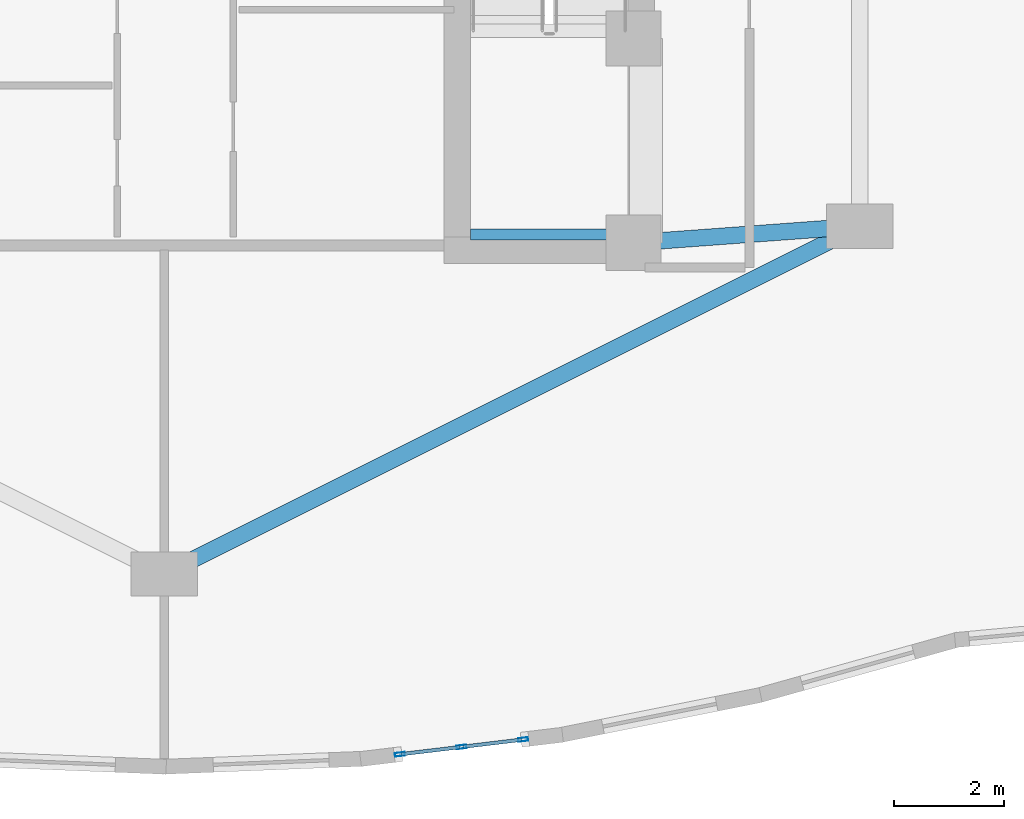
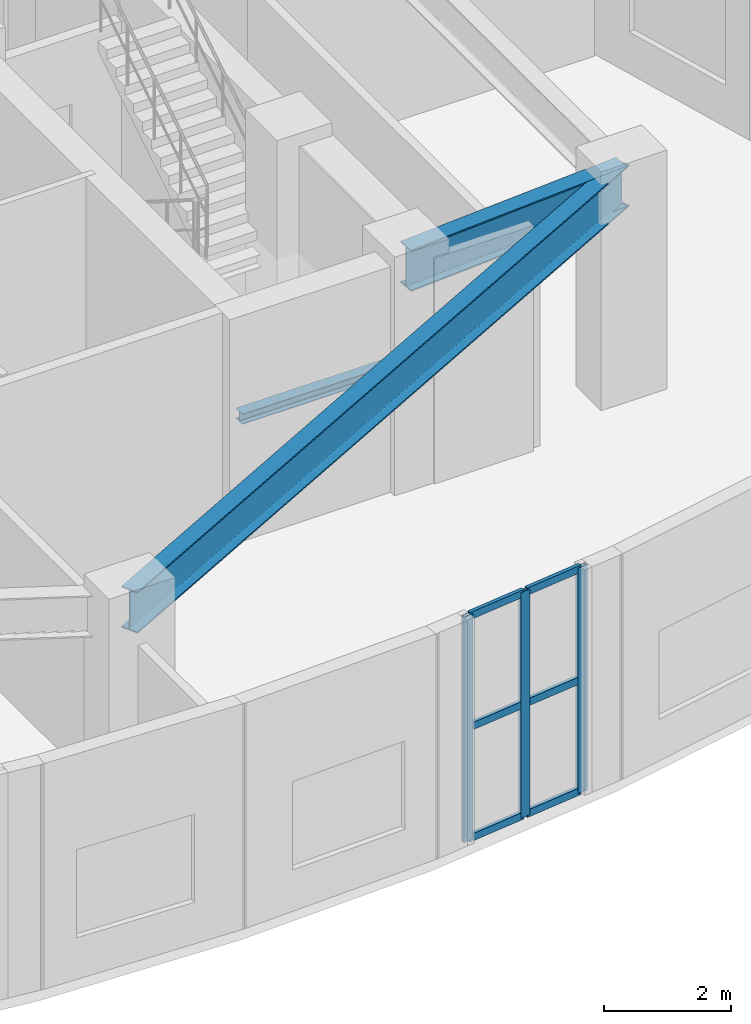
# One storey, part 4 of 14: 9 members, 3 beams, 1 element without a shape of its own.
"""IFC4 building model written with IfcOpenShell, lengths in metres."""

from ifc_helpers import new_model, si_unit, direction, frame, origin, origin_2d, place, context, subcontext, project, spatial, hollow_rectangle, i_section, extrude, material, layer, layer_set, material_profile, profile_set, type_object, element, aggregate, save


model = new_model("IFC4")

# Units and contexts
model_context = context("Model", 3, precision=1e-05, world=origin(), true_north=direction((0.0, 1.0)))
body_context = subcontext(model_context, "Body", "Model", "MODEL_VIEW")
ifc_project = project(units=[si_unit("LENGTHUNIT", "METRE"), si_unit("AREAUNIT", "SQUARE_METRE"), si_unit("VOLUMEUNIT", "CUBIC_METRE"), si_unit("PLANEANGLEUNIT", "RADIAN"), si_unit("MASSUNIT", "GRAM", prefix="KILO")], contexts=[model_context])

# Site, building, storey
site_placement = place(None, origin())
site = spatial("IfcSite", under=ifc_project, at=site_placement, CompositionType="ELEMENT")
building_placement = place(site_placement, origin())
building = spatial("IfcBuilding", under=site, at=building_placement, Name="Miruveldt Soraemaru", CompositionType="ELEMENT")
storey_placement = place(building_placement, frame((0.0, 0.0, 189.800048828125)))
storey = spatial("IfcBuildingStorey", under=building, at=storey_placement, Name="L52", CompositionType="ELEMENT", Elevation=189.800048828125)

# Beams
ifc_material_1 = material(Name="Steel S460 (460 MPa)", Category="steel")
ifc_material_profile_1 = material_profile(ifc_material_1, i_section(OverallWidth=0.300048828125, OverallDepth=0.800048828125, WebThickness=0.013916015625, FlangeThickness=0.02587890625, FilletRadius=0.028076171875, at=origin_2d()), Name="Steel S460 (460 MPa)", Category="steel")
ifc_profile_set_1 = profile_set([ifc_material_profile_1], Name="Steel S460 (460 MPa)")
beam_type_1 = type_object("IfcBeamType", Name="BM-ST-H800", PredefinedType="BEAM", material=ifc_profile_set_1)
beam_1_placement = place(storey_placement, frame((56.60009765625, 35.800048828125, 3.945068359375), z_axis=(-0.894427191, -0.4472135955, 0.0), x_axis=(0.4472135955, -0.894427191, 0.0)))
element("IfcBeam", 1, at=beam_1_placement, inside=storey, type_object=beam_type_1, Name="L52 Inner Ring Girder 3", PredefinedType="BEAM", context=body_context, shape_type="SweptSolid", body=[
    extrude(i_section(OverallWidth=0.300048828125, OverallDepth=0.800048828125, WebThickness=0.013916015625, FlangeThickness=0.02587890625, FilletRadius=0.028076171875, at=origin_2d()), origin(), (0.0, 0.0, 1.0), 14.08740234375),
])
beam_2_placement = place(storey_placement, frame((52.5, 35.5, 3.945068359375), z_axis=(0.997332985605, 0.072985723431, 0.0), x_axis=(-0.072985723431, 0.997332985605, 0.0)))
element("IfcBeam", 2, at=beam_2_placement, inside=storey, type_object=beam_type_1, Name="L52 Core-to-Inner Radial Girder 3", PredefinedType="BEAM", context=body_context, shape_type="SweptSolid", body=[
    extrude(i_section(OverallWidth=0.300048828125, OverallDepth=0.800048828125, WebThickness=0.013916015625, FlangeThickness=0.02587890625, FilletRadius=0.028076171875, at=origin_2d()), origin(), (0.0, 0.0, 1.0), 4.111083984375),
])
ifc_material_2 = material(Name="Steel SM355 (355 MPa)", Category="steel")
ifc_material_profile_2 = material_profile(ifc_material_2, i_section(OverallWidth=0.199951171875, OverallDepth=0.199951171875, WebThickness=0.008056640625, FlangeThickness=0.011962890625, FilletRadius=0.012939453125, at=origin_2d()), Name="Steel SM355 (355 MPa)", Category="steel")
ifc_profile_set_2 = profile_set([ifc_material_profile_2], Name="Steel SM355 (355 MPa)")
beam_type_2 = type_object("IfcBeamType", Name="BM-ST-LND200", PredefinedType="BEAM", material=ifc_profile_set_2)
beam_3_placement = place(storey_placement, frame((49.550048828125, 35.64990234375, 2.0), z_axis=(1.0, 0.0, 0.0), x_axis=(0.0, 1.0, 0.0)))
element("IfcBeam", 3, at=beam_3_placement, inside=storey, type_object=beam_type_2, Name="L52 ST2 Landing End Beam 1B", PredefinedType="BEAM", context=body_context, shape_type="SweptSolid", body=[
    extrude(i_section(OverallWidth=0.199951171875, OverallDepth=0.199951171875, WebThickness=0.008056640625, FlangeThickness=0.011962890625, FilletRadius=0.012939453125, at=origin_2d()), origin(), (0.0, 0.0, 1.0), 2.849853515625),
])

# Curtain wall, members
ifc_material_3 = material(Name="Anodised aluminium EN AW-6063 T6", Category="aluminium")
ifc_layer = layer(ifc_material_3, 0.179931640625, Name="Anodised aluminium EN AW-6063 T6", Category="aluminium")
ifc_layer_set = layer_set([ifc_layer], Name="Anodised aluminium EN AW-6063 T6")
curtain_wall_type = type_object("IfcCurtainWallType", Name="CW-SYS-4", PredefinedType="USERDEFINED", material=ifc_layer_set)
curtain_wall_placement = place(storey_placement, origin())
curtain_wall = element("IfcCurtainWall", 4, at=curtain_wall_placement, inside=storey, type_object=curtain_wall_type, Name="L52 Curtain Wall Bay 26", ObjectType="UNITISED GLAZING", PredefinedType="USERDEFINED")
ifc_material_profile_3 = material_profile(ifc_material_3, hollow_rectangle(XDim=0.06494140625, YDim=0.179931640625, WallThickness=0.00390625, at=origin_2d()), Name="Anodised aluminium EN AW-6063 T6", Category="aluminium")
ifc_profile_set_3 = profile_set([ifc_material_profile_3], Name="Anodised aluminium EN AW-6063 T6")
member_type_1 = type_object("IfcMemberType", Name="CWM-4", PredefinedType="MULLION", material=ifc_profile_set_3)
member_1_placement = place(storey_placement, frame((48.267822265625, 26.231201171875, 0.0), z_axis=(0.0, 0.0, 1.0), x_axis=(-0.119170759501, 0.992873773488, 0.0)))
member_1 = element("IfcMember", 5, at=member_1_placement, type_object=member_type_1, Name="CW-4 mullion 1", PredefinedType="MULLION", context=body_context, shape_type="SweptSolid", body=[
    extrude(hollow_rectangle(XDim=0.06494140625, YDim=0.179931640625, WallThickness=0.00390625, at=origin_2d()), origin(), (0.0, 0.0, 1.0), 4.344970703125),
])
member_2_placement = place(storey_placement, frame((49.38525390625, 26.365234375, 0.0), z_axis=(0.0, 0.0, 1.0), x_axis=(-0.119170759501, 0.992873773488, 0.0)))
member_2 = element("IfcMember", 6, at=member_2_placement, type_object=member_type_1, Name="CW-4 mullion 2", PredefinedType="MULLION", context=body_context, shape_type="SweptSolid", body=[
    extrude(hollow_rectangle(XDim=0.06494140625, YDim=0.179931640625, WallThickness=0.00390625, at=origin_2d()), origin(), (0.0, 0.0, 1.0), 4.344970703125),
])
member_3_placement = place(storey_placement, frame((50.5029296875, 26.49951171875, 0.0), z_axis=(0.0, 0.0, 1.0), x_axis=(-0.119170759501, 0.992873773488, 0.0)))
member_3 = element("IfcMember", 7, at=member_3_placement, type_object=member_type_1, Name="CW-4 mullion 3", PredefinedType="MULLION", context=body_context, shape_type="SweptSolid", body=[
    extrude(hollow_rectangle(XDim=0.06494140625, YDim=0.179931640625, WallThickness=0.00390625, at=origin_2d()), origin(), (0.0, 0.0, 1.0), 4.344970703125),
])
ifc_material_profile_4 = material_profile(ifc_material_3, hollow_rectangle(XDim=0.06494140625, YDim=0.139892578125, WallThickness=0.00390625, at=origin_2d()), Name="Anodised aluminium EN AW-6063 T6", Category="aluminium")
ifc_profile_set_4 = profile_set([ifc_material_profile_4], Name="Anodised aluminium EN AW-6063 T6")
member_type_2 = type_object("IfcMemberType", Name="CWT-4", PredefinedType="USERDEFINED", material=ifc_profile_set_4)
member_4_placement = place(storey_placement, frame((48.300048828125, 26.235107421875, 0.032470703125), z_axis=(0.992892080802, 0.11901813257, 0.0), x_axis=(-0.11901813257, 0.992892080802, 0.0)))
member_4 = element("IfcMember", 8, at=member_4_placement, type_object=member_type_2, Name="CW-4 transom 1.1", ObjectType="TRANSOM", PredefinedType="USERDEFINED", context=body_context, shape_type="SweptSolid", body=[
    extrude(hollow_rectangle(XDim=0.06494140625, YDim=0.139892578125, WallThickness=0.00390625, at=origin_2d()), origin(), (0.0, 0.0, 1.0), 1.060546875),
])
member_5_placement = place(storey_placement, frame((48.300048828125, 26.235107421875, 2.17236328125), z_axis=(0.992892080802, 0.11901813257, 0.0), x_axis=(-0.11901813257, 0.992892080802, 0.0)))
member_5 = element("IfcMember", 9, at=member_5_placement, type_object=member_type_2, Name="CW-4 transom 1.2", ObjectType="TRANSOM", PredefinedType="USERDEFINED", context=body_context, shape_type="SweptSolid", body=[
    extrude(hollow_rectangle(XDim=0.06494140625, YDim=0.139892578125, WallThickness=0.00390625, at=origin_2d()), origin(), (0.0, 0.0, 1.0), 1.060546875),
])
member_6_placement = place(storey_placement, frame((48.300048828125, 26.235107421875, 4.3125), z_axis=(0.992892080802, 0.11901813257, 0.0), x_axis=(-0.11901813257, 0.992892080802, 0.0)))
member_6 = element("IfcMember", 10, at=member_6_placement, type_object=member_type_2, Name="CW-4 transom 1.3", ObjectType="TRANSOM", PredefinedType="USERDEFINED", context=body_context, shape_type="SweptSolid", body=[
    extrude(hollow_rectangle(XDim=0.06494140625, YDim=0.139892578125, WallThickness=0.00390625, at=origin_2d()), origin(), (0.0, 0.0, 1.0), 1.060546875),
])
member_7_placement = place(storey_placement, frame((49.417724609375, 26.369140625, 0.032470703125), z_axis=(0.992861576833, 0.119272332282, 0.0), x_axis=(-0.119272332282, 0.992861576833, 0.0)))
member_7 = element("IfcMember", 11, at=member_7_placement, type_object=member_type_2, Name="CW-4 transom 2.1", ObjectType="TRANSOM", PredefinedType="USERDEFINED", context=body_context, shape_type="SweptSolid", body=[
    extrude(hollow_rectangle(XDim=0.06494140625, YDim=0.139892578125, WallThickness=0.00390625, at=origin_2d()), origin(), (0.0, 0.0, 1.0), 1.060302734375),
])
member_8_placement = place(storey_placement, frame((49.417724609375, 26.369140625, 2.17236328125), z_axis=(0.992861576833, 0.119272332282, 0.0), x_axis=(-0.119272332282, 0.992861576833, 0.0)))
member_8 = element("IfcMember", 12, at=member_8_placement, type_object=member_type_2, Name="CW-4 transom 2.2", ObjectType="TRANSOM", PredefinedType="USERDEFINED", context=body_context, shape_type="SweptSolid", body=[
    extrude(hollow_rectangle(XDim=0.06494140625, YDim=0.139892578125, WallThickness=0.00390625, at=origin_2d()), origin(), (0.0, 0.0, 1.0), 1.060302734375),
])
member_9_placement = place(storey_placement, frame((49.417724609375, 26.369140625, 4.3125), z_axis=(0.992861576833, 0.119272332282, 0.0), x_axis=(-0.119272332282, 0.992861576833, 0.0)))
member_9 = element("IfcMember", 13, at=member_9_placement, type_object=member_type_2, Name="CW-4 transom 2.3", ObjectType="TRANSOM", PredefinedType="USERDEFINED", context=body_context, shape_type="SweptSolid", body=[
    extrude(hollow_rectangle(XDim=0.06494140625, YDim=0.139892578125, WallThickness=0.00390625, at=origin_2d()), origin(), (0.0, 0.0, 1.0), 1.060302734375),
])
aggregate(curtain_wall, [member_1, member_2, member_3, member_4, member_5, member_6, member_7, member_8, member_9])

save(model, "model.ifc")
